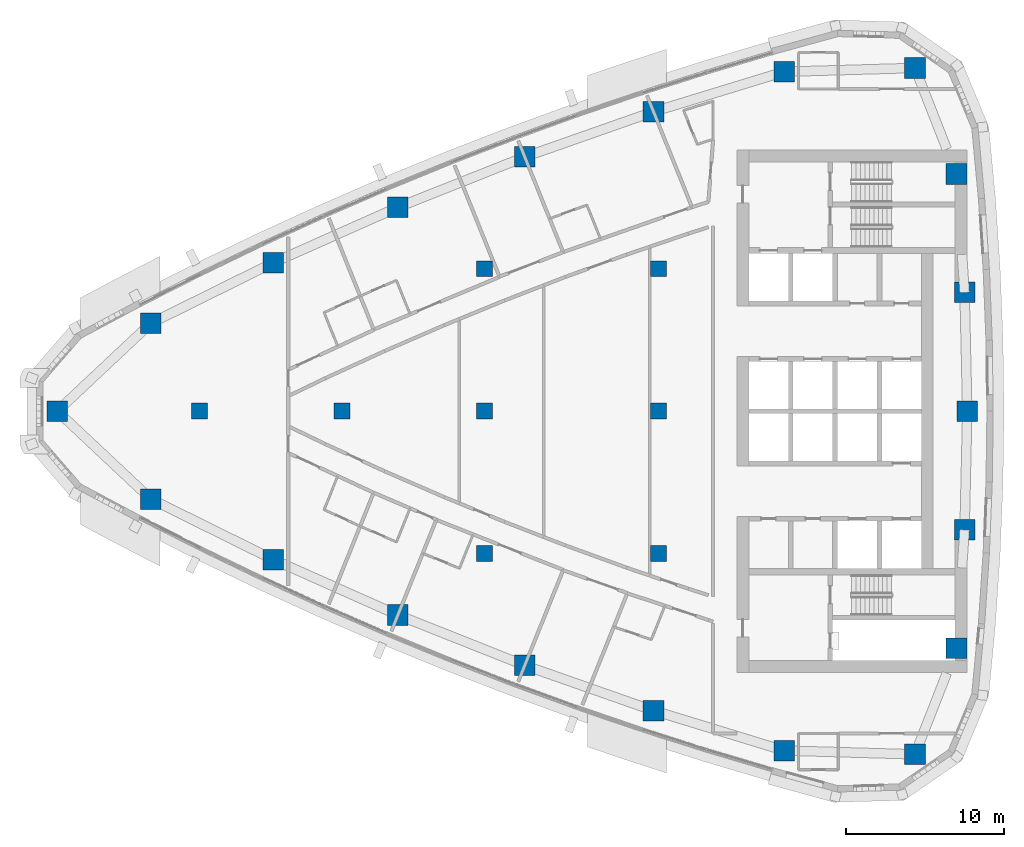
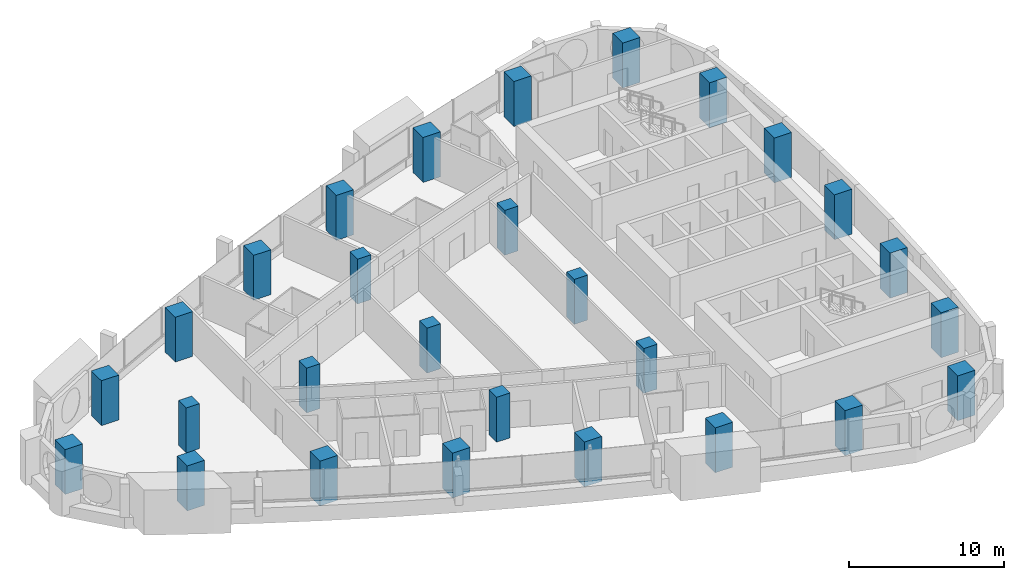
# One storey, part 1 of 17: 28 columns.
"""IFC4 building model written with IfcOpenShell, lengths in metres."""

from ifc_helpers import new_model, si_unit, direction, frame, origin, origin_2d, place, context, subcontext, project, spatial, rectangle, extrude, material, material_profile, profile_set, type_object, element, save


model = new_model("IFC4")

# Units and contexts
model_context = context("Model", 3, precision=1e-05, world=origin(), true_north=direction((0.0, 1.0)))
body_context = subcontext(model_context, "Body", "Model", "MODEL_VIEW")
ifc_project = project(units=[si_unit("LENGTHUNIT", "METRE"), si_unit("AREAUNIT", "SQUARE_METRE"), si_unit("VOLUMEUNIT", "CUBIC_METRE"), si_unit("PLANEANGLEUNIT", "RADIAN"), si_unit("MASSUNIT", "GRAM", prefix="KILO")], contexts=[model_context])

# Site, building, storey
site_placement = place(None, origin())
site = spatial("IfcSite", under=ifc_project, at=site_placement, CompositionType="ELEMENT")
building_placement = place(site_placement, origin())
building = spatial("IfcBuilding", under=site, at=building_placement, Name="Ostrand Prow Hotel Tower", CompositionType="ELEMENT")
storey_placement = place(building_placement, frame((0.0, 0.0, 200.35009765625)))
storey = spatial("IfcBuildingStorey", under=building, at=storey_placement, Name="L50", CompositionType="ELEMENT", Elevation=200.35009765625)

# Columns
ifc_material_1 = material(Name="Concrete C60/75", Category="concrete")
ifc_material_profile_1 = material_profile(ifc_material_1, rectangle(XDim=1.0, YDim=1.0, at=origin_2d()), Name="RC 1000x1000")
ifc_profile_set_1 = profile_set([ifc_material_profile_1], Name="Concrete C60/75")
column_type_1 = type_object("IfcColumnType", Name="Interior column 1000x1000 C60/75", PredefinedType="COLUMN", material=ifc_profile_set_1)
for number, where, z_axis, x_axis, name in (
    (1, (16.0, 0.0, 0.0), (0.0, 0.0, 1.0), (1.0, 0.0, 0.0), "Interior column 16C0"),
    (2, (25.0, 0.0, 0.0), (0.0, 0.0, 1.0), (1.0, 0.0, 0.0), "Interior column 25C0"),
    (3, (34.0, -9.0, 0.0), (0.0, 0.0, 1.0), (1.0, 0.0, 0.0), "Interior column 34S9"),
    (4, (34.0, 0.0, 0.0), (0.0, 0.0, 1.0), (1.0, 0.0, 0.0), "Interior column 34C0"),
    (5, (34.0, 9.0, 0.0), (0.0, 0.0, 1.0), (1.0, 0.0, 0.0), "Interior column 34N9"),
    (6, (45.0, -9.0, 0.0), (0.0, 0.0, 1.0), (1.0, 0.0, 0.0), "Interior column 45S9"),
    (7, (45.0, 0.0, 0.0), (0.0, 0.0, 1.0), (1.0, 0.0, 0.0), "Interior column 45C0"),
    (8, (45.0, 9.0, 0.0), (0.0, 0.0, 1.0), (1.0, 0.0, 0.0), "Interior column 45N9"),
):
    element("IfcColumn", number, at=place(storey_placement, frame(where, z_axis=z_axis, x_axis=x_axis)), inside=storey, type_object=column_type_1, Name=name, PredefinedType="COLUMN", context=body_context, shape_type="SweptSolid", body=[
        extrude(rectangle(XDim=1.0, YDim=1.0, at=origin_2d()), origin(), (0.0, 0.0, 1.0), 3.5498046875),
    ])
ifc_material_2 = material(Name="Concrete C60/75", Category="concrete")
ifc_material_profile_2 = material_profile(ifc_material_2, rectangle(XDim=1.300048828125, YDim=1.300048828125, at=origin_2d()), Name="RC 1300x1300")
ifc_profile_set_2 = profile_set([ifc_material_profile_2], Name="Concrete C60/75")
column_type_2 = type_object("IfcColumnType", Name="Stone-faced mega column 1300x1300 C60/75", PredefinedType="COLUMN", material=ifc_profile_set_2)
for number, where, z_axis, x_axis, name in (
    (9, (7.01708984375, 0.0, 0.0), (0.0, 0.0, 1.0), (1.0, 0.0, 0.0), "Mega column P"),
    (10, (12.9287109375, -5.551513671875, 0.0), (0.0, 0.0, 1.0), (1.0, 0.0, 0.0), "Mega column S1"),
    (11, (20.656982421875, -9.373291015625, 0.0), (0.0, 0.0, 1.0), (1.0, 0.0, 0.0), "Mega column S2"),
    (12, (28.5341796875, -12.878173828125, 0.0), (0.0, 0.0, 1.0), (1.0, 0.0, 0.0), "Mega column S3"),
    (13, (36.547119140625, -16.060791015625, 0.0), (0.0, 0.0, 1.0), (1.0, 0.0, 0.0), "Mega column S4"),
    (14, (44.6826171875, -18.91552734375, 0.0), (0.0, 0.0, 1.0), (1.0, 0.0, 0.0), "Mega column S5"),
    (15, (52.92724609375, -21.43798828125, 0.0), (0.0, 0.0, 1.0), (1.0, 0.0, 0.0), "Mega column S6"),
    (16, (61.198486328125, -21.678955078125, 0.0), (0.0, 0.0, 1.0), (1.0, 0.0, 0.0), "Mega column SE"),
    (17, (63.822021484375, -14.983154296875, 0.0), (0.0, 0.0, 1.0), (1.0, 0.0, 0.0), "Mega column B1"),
    (18, (64.330322265625, -7.499267578125, 0.0), (0.0, 0.0, 1.0), (1.0, 0.0, 0.0), "Mega column B2"),
    (19, (64.5, 0.0, 0.0), (0.0, 0.0, 1.0), (1.0, 0.0, 0.0), "Mega column B3"),
    (20, (64.330322265625, 7.499267578125, 0.0), (0.0, 0.0, 1.0), (1.0, 0.0, 0.0), "Mega column B4"),
    (21, (63.822021484375, 14.983154296875, 0.0), (0.0, 0.0, 1.0), (1.0, 0.0, 0.0), "Mega column B5"),
    (22, (61.198486328125, 21.678955078125, 0.0), (0.0, 0.0, 1.0), (1.0, 0.0, 0.0), "Mega column NE"),
    (23, (52.92724609375, 21.43798828125, 0.0), (0.0, 0.0, 1.0), (1.0, 0.0, 0.0), "Mega column N1"),
    (24, (44.6826171875, 18.91552734375, 0.0), (0.0, 0.0, 1.0), (1.0, 0.0, 0.0), "Mega column N2"),
    (25, (36.547119140625, 16.060791015625, 0.0), (0.0, 0.0, 1.0), (1.0, 0.0, 0.0), "Mega column N3"),
    (26, (28.5341796875, 12.878173828125, 0.0), (0.0, 0.0, 1.0), (1.0, 0.0, 0.0), "Mega column N4"),
    (27, (20.656982421875, 9.373291015625, 0.0), (0.0, 0.0, 1.0), (1.0, 0.0, 0.0), "Mega column N5"),
    (28, (12.9287109375, 5.551513671875, 0.0), (0.0, 0.0, 1.0), (1.0, 0.0, 0.0), "Mega column N6"),
):
    element("IfcColumn", number, at=place(storey_placement, frame(where, z_axis=z_axis, x_axis=x_axis)), inside=storey, type_object=column_type_2, Name=name, PredefinedType="COLUMN", context=body_context, shape_type="SweptSolid", body=[
        extrude(rectangle(XDim=1.300048828125, YDim=1.300048828125, at=origin_2d()), origin(), (0.0, 0.0, 1.0), 3.5498046875),
    ])

save(model, "model.ifc")
